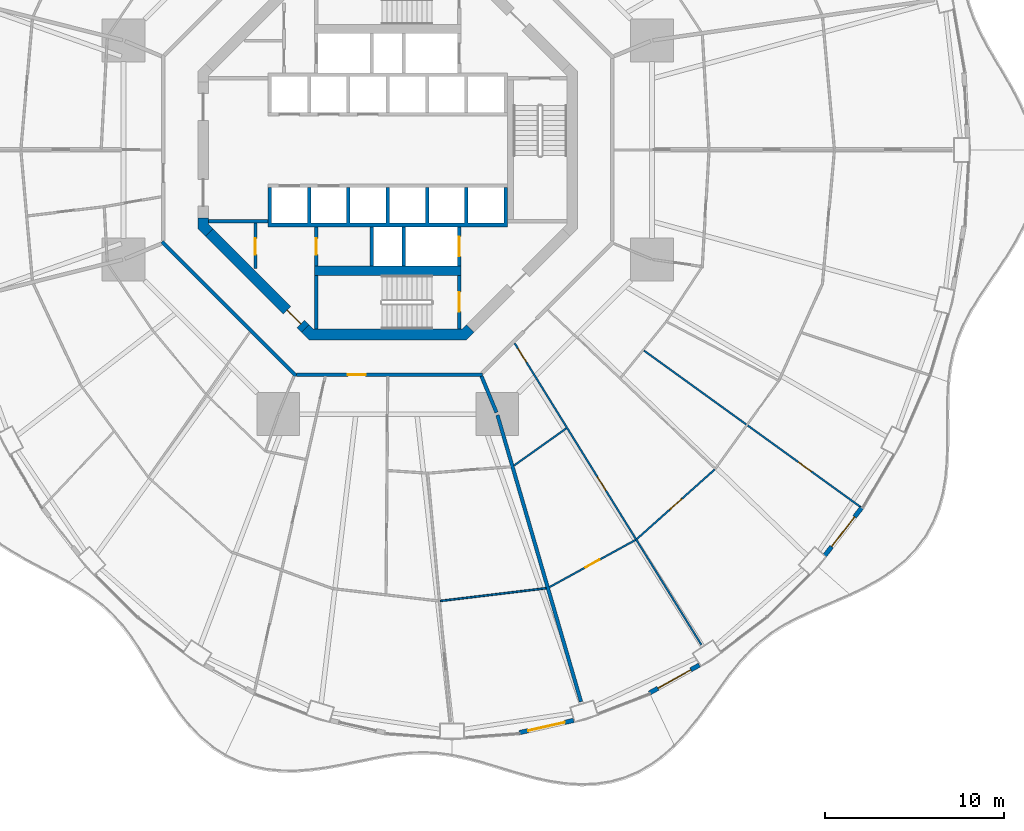
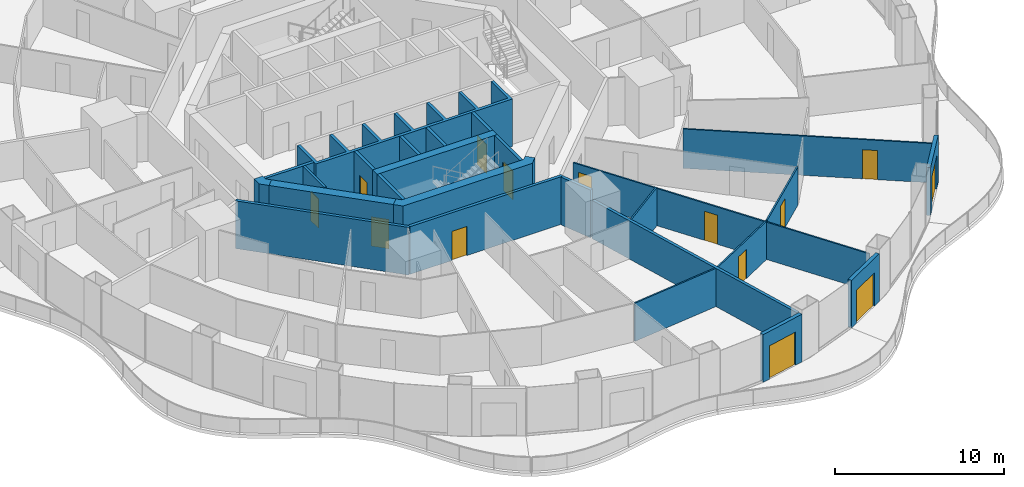
# One storey, part 15 of 23: 26 walls, 14 doors, 14 openings.
"""IFC4 building model written with IfcOpenShell, lengths in metres."""

from ifc_helpers import new_model, si_unit, direction, frame, frame_2d, origin, place, context, subcontext, project, spatial, polyline, rectangle, outline, extrude, material, layer, layer_set, type_object, element, fill, save


model = new_model("IFC4")

# Units and contexts
model_context = context("Model", 3, precision=1e-05, world=origin(), true_north=direction((0.0, 1.0)))
body_context = subcontext(model_context, "Body", "Model", "MODEL_VIEW")
ifc_project = project(units=[si_unit("LENGTHUNIT", "METRE"), si_unit("AREAUNIT", "SQUARE_METRE"), si_unit("VOLUMEUNIT", "CUBIC_METRE"), si_unit("PLANEANGLEUNIT", "RADIAN"), si_unit("MASSUNIT", "GRAM", prefix="KILO")], contexts=[model_context])

# Site, building, storey
site_placement = place(None, origin())
site = spatial("IfcSite", under=ifc_project, at=site_placement, CompositionType="ELEMENT")
building_placement = place(site_placement, origin())
building = spatial("IfcBuilding", under=site, at=building_placement, Name="Nagisa Residences", CompositionType="ELEMENT")
storey_placement = place(building_placement, frame((0.0, 0.0, 56.60009765625)))
storey = spatial("IfcBuildingStorey", under=building, at=storey_placement, Name="L13", CompositionType="ELEMENT", Elevation=56.60009765625)

# Walls
ifc_material_1 = material(Name="Gypsum board on steel studs", Category="steel")
ifc_layer_1 = layer(ifc_material_1, 0.199951171875)
ifc_layer_set_1 = layer_set([ifc_layer_1], Name="Apartment compartment wall EI60 200")
wall_type_1 = type_object("IfcWallType", Name="Apartment compartment wall EI60 200", PredefinedType="PARTITIONING", material=ifc_layer_set_1)
wall_1_placement = place(storey_placement, frame((5.24267578125, -12.6572265625, 0.0), z_axis=(0.0, 0.0, 1.0), x_axis=(0.382707856524, -0.923869415315, 0.0)))
element("IfcWall", 1, at=wall_1_placement, inside=storey, type_object=wall_type_1, Name="wall:L13:u08", PredefinedType="PARTITIONING", context=body_context, shape_type="SweptSolid", body=[
    extrude(rectangle(XDim=2.2001953125, YDim=0.199951171875, at=frame_2d((1.10009765625, 0.0))), origin(), (0.0, 0.0, 1.0), 3.43994140625),
])
wall_2_placement = place(storey_placement, frame((6.136962890625, -14.830078125, 0.0), z_axis=(0.0, 0.0, 1.0), x_axis=(0.27985745069, -0.960041565399, 0.0)))
element("IfcWall", 2, at=wall_2_placement, inside=storey, type_object=wall_type_1, Name="wall:L13:u09", PredefinedType="PARTITIONING", context=body_context, shape_type="SweptSolid", body=[
    extrude(rectangle(XDim=16.705078125, YDim=0.199951171875, at=frame_2d((8.3525390625, 0.0))), origin(), (0.0, 0.0, 1.0), 2.755859375),
])
ifc_material_2 = material(Name="Gypsum board on steel studs", Category="steel")
ifc_layer_2 = layer(ifc_material_2, 0.199951171875)
ifc_layer_set_2 = layer_set([ifc_layer_2], Name="Apartment entry wall EI60 200")
wall_type_2 = type_object("IfcWallType", Name="Apartment entry wall EI60 200", PredefinedType="PARTITIONING", material=ifc_layer_set_2)
wall_3_placement = place(storey_placement, frame((-12.635498046875, -5.1337890625, 0.0), z_axis=(0.0, 0.0, 1.0), x_axis=(0.707106781187, -0.707106781187, 0.0)))
element("IfcWall", 3, at=wall_3_placement, inside=storey, type_object=wall_type_2, Name="wall:L13:u15", PredefinedType="PARTITIONING", context=body_context, shape_type="SweptSolid", body=[
    extrude(rectangle(XDim=10.609130859375, YDim=0.199951171875, at=frame_2d((5.3046875, 0.0))), origin(), (0.0, 0.0, 1.0), 3.43994140625),
])

# Wall, opening, door
wall_4_placement = place(storey_placement, frame((-5.1044921875, -12.564697265625, 0.0), z_axis=(0.0, 0.0, 1.0), x_axis=(1.0, 0.0, 0.0)))
wall_4 = element("IfcWall", 4, at=wall_4_placement, inside=storey, type_object=wall_type_2, Name="wall:L13:u16", PredefinedType="PARTITIONING", context=body_context, shape_type="SweptSolid", body=[
    extrude(rectangle(XDim=10.408935546875, YDim=0.199951171875, at=frame_2d((5.20458984375, 0.0))), origin(), (0.0, 0.0, 1.0), 3.43994140625),
])
opening_1_placement = place(wall_4_placement, frame((2.86962890625, 0.0, 0.0)))
opening_1 = element("IfcOpeningElement", 5, at=opening_1_placement, cuts=wall_4, Name="Opening L13-U15", PredefinedType="OPENING", context=body_context, shape_type="SweptSolid", body=[
    extrude(rectangle(XDim=1.0, YDim=2.10009765625, at=frame_2d((0.5, 1.050048828125))), frame((0.0, 0.10986328125, 0.0), z_axis=(0.0, -1.0, 0.0), x_axis=(1.0, 0.0, 0.0)), (0.0, 0.0, 1.0), 0.219970703125),
])
ifc_material_3 = material(Name="Timber fire door set", Category="wood")
door_type_1 = type_object("IfcDoorType", Name="Apartment entry door FD30S 1000x2100", OperationType="NOTDEFINED", PredefinedType="DOOR", material=ifc_material_3)
door_1_placement = place(opening_1_placement, frame((1.0, 0.0, 0.0), x_axis=(-1.0, 0.0, 0.0)))
door_1 = element("IfcDoor", 6, at=door_1_placement, inside=storey, type_object=door_type_1, Name="Entry door, Apartment 13C", OperationType="SINGLE_SWING_RIGHT", OverallHeight=2.10009765625, OverallWidth=1.0, PredefinedType="DOOR", context=body_context, shape_type="SweptSolid", body=[
    extrude(rectangle(XDim=1.0, YDim=2.10009765625, at=frame_2d((0.5, 1.050048828125))), frame((0.0, 0.02490234375, 0.0), z_axis=(0.0, -1.0, 0.0), x_axis=(1.0, 0.0, 0.0)), (0.0, 0.0, 1.0), 0.050048828125),
])
fill(opening_1, door_1)

# Walls
ifc_material_4 = material(Name="Gypsum board on steel studs", Category="steel")
ifc_layer_3 = layer(ifc_material_4, 0.10009765625)
ifc_layer_set_3 = layer_set([ifc_layer_3], Name="Apartment partition 100")
wall_type_3 = type_object("IfcWallType", Name="Apartment partition 100", PredefinedType="PARTITIONING", material=ifc_layer_set_3)
wall_5_placement = place(storey_placement, frame((2.94091796875, -25.228515625, 0.0), z_axis=(0.0, 0.0, 1.0), x_axis=(0.992834127896, 0.119500604542, 0.0)))
element("IfcWall", 7, at=wall_5_placement, inside=storey, type_object=wall_type_3, Name="wall:L13:u78", PredefinedType="PARTITIONING", context=body_context, shape_type="SweptSolid", body=[
    extrude(rectangle(XDim=5.95947265625, YDim=0.10009765625, at=frame_2d((2.979736328125, 0.0))), origin(), (0.0, 0.0, 1.0), 2.755859375),
])
wall_6_placement = place(storey_placement, frame((7.0595703125, -17.657470703125, 0.0), z_axis=(0.0, 0.0, 1.0), x_axis=(0.81492039338, 0.57957290521, 0.0)))
element("IfcWall", 8, at=wall_6_placement, inside=storey, type_object=wall_type_3, Name="wall:L13:u79", PredefinedType="PARTITIONING", context=body_context, shape_type="SweptSolid", body=[
    extrude(rectangle(XDim=3.594482421875, YDim=0.10009765625, at=frame_2d((1.79736328125, 0.0))), origin(), (0.0, 0.0, 1.0), 2.755859375),
])

# Wall, opening, door
wall_7_placement = place(storey_placement, frame((9.044677734375, -24.456298828125, 0.0), z_axis=(0.0, 0.0, 1.0), x_axis=(0.876809987787, 0.480837025734, 0.0)))
wall_7 = element("IfcWall", 9, at=wall_7_placement, inside=storey, type_object=wall_type_3, Name="wall:L13:u80", PredefinedType="PARTITIONING", context=body_context, shape_type="SweptSolid", body=[
    extrude(rectangle(XDim=5.486083984375, YDim=0.10009765625, at=frame_2d((2.7431640625, 0.0))), origin(), (0.0, 0.0, 1.0), 2.755859375),
])
opening_2_placement = place(wall_7_placement, frame((2.293212890625, 0.0, 0.0)))
opening_2 = element("IfcOpeningElement", 10, at=opening_2_placement, cuts=wall_7, Name="Opening L13-U37", PredefinedType="OPENING", context=body_context, shape_type="SweptSolid", body=[
    extrude(rectangle(XDim=0.89990234375, YDim=2.10009765625, at=frame_2d((0.449951171875, 1.050048828125))), frame((0.0, 0.06005859375, 0.0), z_axis=(0.0, -1.0, 0.0), x_axis=(1.0, 0.0, 0.0)), (0.0, 0.0, 1.0), 0.1201171875),
])
ifc_material_5 = material(Name="Timber door set", Category="wood")
door_type_2 = type_object("IfcDoorType", Name="Apartment door 900x2100", OperationType="NOTDEFINED", PredefinedType="DOOR", material=ifc_material_5)
door_2_placement = place(opening_2_placement, frame((0.89990234375, 0.0, 0.0), x_axis=(-1.0, 0.0, 0.0)))
door_2 = element("IfcDoor", 11, at=door_2_placement, inside=storey, type_object=door_type_2, Name="Door to master bedroom, Apartment 13D", OperationType="SINGLE_SWING_RIGHT", OverallHeight=2.10009765625, OverallWidth=0.89990234375, PredefinedType="DOOR", context=body_context, shape_type="SweptSolid", body=[
    extrude(rectangle(XDim=0.89990234375, YDim=2.10009765625, at=frame_2d((0.449951171875, 1.050048828125))), frame((0.0, 0.02490234375, 0.0), z_axis=(0.0, -1.0, 0.0), x_axis=(1.0, 0.0, 0.0)), (0.0, 0.0, 1.0), 0.050048828125),
])
fill(opening_2, door_2)

# Wall, openings, doors
wall_8_placement = place(storey_placement, frame((7.09716796875, -10.809814453125, 0.0), z_axis=(0.0, 0.0, 1.0), x_axis=(0.526453266471, -0.850204068576, 0.0)))
wall_8 = element("IfcWall", 12, at=wall_8_placement, inside=storey, type_object=wall_type_3, Name="wall:L13:u81", PredefinedType="PARTITIONING", context=body_context, shape_type="SweptSolid", body=[
    extrude(rectangle(XDim=19.85009765625, YDim=0.10009765625, at=frame_2d((9.925048828125, 0.0))), origin(), (0.0, 0.0, 1.0), 2.68701171875),
])
opening_3_placement = place(wall_8_placement, frame((0.35009765625, 0.0, 0.0)))
opening_3 = element("IfcOpeningElement", 13, at=opening_3_placement, cuts=wall_8, Name="Opening L13-U29", PredefinedType="OPENING", context=body_context, shape_type="SweptSolid", body=[
    extrude(rectangle(XDim=0.89990234375, YDim=2.10009765625, at=frame_2d((0.449951171875, 1.050048828125))), frame((0.0, 0.06005859375, 0.0), z_axis=(0.0, -1.0, 0.0), x_axis=(1.0, 0.0, 0.0)), (0.0, 0.0, 1.0), 0.1201171875),
])
opening_4_placement = place(wall_8_placement, frame((8.794921875, 0.0, 0.0)))
opening_4 = element("IfcOpeningElement", 14, at=opening_4_placement, cuts=wall_8, Name="Opening L13-U33", PredefinedType="OPENING", context=body_context, shape_type="SweptSolid", body=[
    extrude(rectangle(XDim=0.89990234375, YDim=2.10009765625, at=frame_2d((0.449951171875, 1.050048828125))), frame((0.0, 0.06005859375, 0.0), z_axis=(0.0, -1.0, 0.0), x_axis=(1.0, 0.0, 0.0)), (0.0, 0.0, 1.0), 0.1201171875),
])
door_3_placement = place(opening_3_placement, frame((0.89990234375, 0.0, 0.0), x_axis=(-1.0, 0.0, 0.0)))
door_3 = element("IfcDoor", 15, at=door_3_placement, inside=storey, type_object=door_type_2, Name="Door to laundry, Apartment 13D", OperationType="SINGLE_SWING_RIGHT", OverallHeight=2.10009765625, OverallWidth=0.89990234375, PredefinedType="DOOR", context=body_context, shape_type="SweptSolid", body=[
    extrude(rectangle(XDim=0.89990234375, YDim=2.10009765625, at=frame_2d((0.449951171875, 1.050048828125))), frame((0.0, 0.02490234375, 0.0), z_axis=(0.0, -1.0, 0.0), x_axis=(1.0, 0.0, 0.0)), (0.0, 0.0, 1.0), 0.050048828125),
])
fill(opening_3, door_3)
door_4_placement = place(opening_4_placement, frame((0.89990234375, 0.0, 0.0), x_axis=(-1.0, 0.0, 0.0)))
door_4 = element("IfcDoor", 16, at=door_4_placement, inside=storey, type_object=door_type_2, Name="Door to kitchen, Apartment 13D", OperationType="SINGLE_SWING_RIGHT", OverallHeight=2.10009765625, OverallWidth=0.89990234375, PredefinedType="DOOR", context=body_context, shape_type="SweptSolid", body=[
    extrude(rectangle(XDim=0.89990234375, YDim=2.10009765625, at=frame_2d((0.449951171875, 1.050048828125))), frame((0.0, 0.02490234375, 0.0), z_axis=(0.0, -1.0, 0.0), x_axis=(1.0, 0.0, 0.0)), (0.0, 0.0, 1.0), 0.050048828125),
])
fill(opening_4, door_4)

# Wall, opening, door
wall_9_placement = place(storey_placement, frame((13.936279296875, -21.760986328125, 0.0), z_axis=(0.0, 0.0, 1.0), x_axis=(0.745806142791, 0.666163041136, 0.0)))
wall_9 = element("IfcWall", 17, at=wall_9_placement, inside=storey, type_object=wall_type_3, Name="wall:L13:u82", PredefinedType="PARTITIONING", context=body_context, shape_type="SweptSolid", body=[
    extrude(rectangle(XDim=5.83056640625, YDim=0.10009765625, at=frame_2d((2.915283203125, 0.0))), origin(), (0.0, 0.0, 1.0), 2.755859375),
])
opening_5_placement = place(wall_9_placement, frame((2.46533203125, 0.0, 0.0)))
opening_5 = element("IfcOpeningElement", 18, at=opening_5_placement, cuts=wall_9, Name="Opening L13-U38", PredefinedType="OPENING", context=body_context, shape_type="SweptSolid", body=[
    extrude(rectangle(XDim=0.89990234375, YDim=2.10009765625, at=frame_2d((0.449951171875, 1.050048828125))), frame((0.0, 0.06005859375, 0.0), z_axis=(0.0, -1.0, 0.0), x_axis=(1.0, 0.0, 0.0)), (0.0, 0.0, 1.0), 0.1201171875),
])
door_5_placement = place(opening_5_placement, frame((0.89990234375, 0.0, 0.0), x_axis=(-1.0, 0.0, 0.0)))
door_5 = element("IfcDoor", 19, at=door_5_placement, inside=storey, type_object=door_type_2, Name="Door to living room, Apartment 13D", OperationType="SINGLE_SWING_LEFT", OverallHeight=2.10009765625, OverallWidth=0.89990234375, PredefinedType="DOOR", context=body_context, shape_type="SweptSolid", body=[
    extrude(rectangle(XDim=0.89990234375, YDim=2.10009765625, at=frame_2d((0.449951171875, 1.050048828125))), frame((0.0, 0.02490234375, 0.0), z_axis=(0.0, -1.0, 0.0), x_axis=(1.0, 0.0, 0.0)), (0.0, 0.0, 1.0), 0.050048828125),
])
fill(opening_5, door_5)

wall_10_placement = place(storey_placement, frame((14.328857421875, -11.22119140625, 0.0), z_axis=(0.0, 0.0, 1.0), x_axis=(0.810671130917, -0.58550176558, 0.0)))
wall_10 = element("IfcWall", 20, at=wall_10_placement, inside=storey, type_object=wall_type_3, Name="wall:L13:u86", PredefinedType="PARTITIONING", context=body_context, shape_type="SweptSolid", body=[
    extrude(rectangle(XDim=15.105712890625, YDim=0.10009765625, at=frame_2d((7.552734375, 0.0))), origin(), (0.0, 0.0, 1.0), 2.8369140625),
])
opening_6_placement = place(wall_10_placement, frame((10.65869140625, 0.0, 0.0)))
opening_6 = element("IfcOpeningElement", 21, at=opening_6_placement, cuts=wall_10, Name="Opening L13-U39", PredefinedType="OPENING", context=body_context, shape_type="SweptSolid", body=[
    extrude(rectangle(XDim=0.89990234375, YDim=2.10009765625, at=frame_2d((0.449951171875, 1.050048828125))), frame((0.0, 0.06005859375, 0.0), z_axis=(0.0, -1.0, 0.0), x_axis=(1.0, 0.0, 0.0)), (0.0, 0.0, 1.0), 0.1201171875),
])
door_6_placement = place(opening_6_placement, origin())
door_6 = element("IfcDoor", 22, at=door_6_placement, inside=storey, type_object=door_type_2, Name="Door to master bedroom, Apartment 13D", OperationType="SINGLE_SWING_LEFT", OverallHeight=2.10009765625, OverallWidth=0.89990234375, PredefinedType="DOOR", context=body_context, shape_type="SweptSolid", body=[
    extrude(rectangle(XDim=0.89990234375, YDim=2.10009765625, at=frame_2d((0.449951171875, 1.050048828125))), frame((0.0, 0.02490234375, 0.0), z_axis=(0.0, -1.0, 0.0), x_axis=(1.0, 0.0, 0.0)), (0.0, 0.0, 1.0), 0.050048828125),
])
fill(opening_6, door_6)

ifc_material_6 = material(Name="Precast concrete C40/50", Category="concrete")
ifc_layer_4 = layer(ifc_material_6, 0.25)
ifc_layer_set_4 = layer_set([ifc_layer_4], Name="BALCONY DOOR WALL 250")
wall_type_4 = type_object("IfcWallType", Name="BALCONY DOOR WALL 250", PredefinedType="SOLIDWALL", material=ifc_layer_set_4)
wall_11_placement = place(storey_placement, frame((10.3955078125, -31.908203125, 0.0), z_axis=(0.0, 0.0, 1.0), x_axis=(-0.97533495413, -0.220729987208, 0.0)))
wall_11 = element("IfcWall", 23, at=wall_11_placement, inside=storey, type_object=wall_type_4, Name="wall:L13:bay37", PredefinedType="SOLIDWALL", context=body_context, shape_type="SweptSolid", body=[
    extrude(rectangle(XDim=3.11474609375, YDim=0.25, at=frame_2d((1.557373046875, 0.0))), origin(), (0.0, 0.0, 1.0), 3.43994140625),
])
opening_7_placement = place(wall_11_placement, frame((0.50732421875, 0.0, 0.0)))
opening_7 = element("IfcOpeningElement", 24, at=opening_7_placement, cuts=wall_11, Name="Opening BD-L13-13", PredefinedType="OPENING", context=body_context, shape_type="SweptSolid", body=[
    extrude(rectangle(XDim=2.10009765625, YDim=2.39990234375, at=frame_2d((1.050048828125, 1.199951171875))), frame((0.0, 0.135009765625, 0.0), z_axis=(0.0, -1.0, 0.0), x_axis=(1.0, 0.0, 0.0)), (0.0, 0.0, 1.0), 0.27001953125),
])
ifc_material_7 = material(Name="Aluminium and clear glass", Category="aluminium")
door_type_3 = type_object("IfcDoorType", Name="BALCONY SLIDING DOOR 2100x2400", OperationType="SLIDING_TO_LEFT", PredefinedType="DOOR", material=ifc_material_7)
door_7_placement = place(opening_7_placement, origin())
door_7 = element("IfcDoor", 25, at=door_7_placement, inside=storey, type_object=door_type_3, Name="door:L13:bay37", OperationType="SLIDING_TO_LEFT", OverallHeight=2.39990234375, OverallWidth=2.10009765625, PredefinedType="DOOR", context=body_context, shape_type="SweptSolid", body=[
    extrude(rectangle(XDim=2.10009765625, YDim=2.39990234375, at=frame_2d((1.050048828125, 1.199951171875))), frame((0.0, 0.02490234375, 0.0), z_axis=(0.0, -1.0, 0.0), x_axis=(1.0, 0.0, 0.0)), (0.0, 0.0, 1.0), 0.050048828125),
])
fill(opening_7, door_7)

wall_12_placement = place(storey_placement, frame((17.428466796875, -28.8125, 0.0), z_axis=(0.0, 0.0, 1.0), x_axis=(-0.872102558443, -0.489323132048, 0.0)))
wall_12 = element("IfcWall", 26, at=wall_12_placement, inside=storey, type_object=wall_type_4, Name="wall:L13:bay39", PredefinedType="SOLIDWALL", context=body_context, shape_type="SweptSolid", body=[
    extrude(rectangle(XDim=3.201171875, YDim=0.25, at=frame_2d((1.6005859375, 0.0))), origin(), (0.0, 0.0, 1.0), 3.43994140625),
])
opening_8_placement = place(wall_12_placement, frame((0.550537109375, 0.0, 0.0)))
opening_8 = element("IfcOpeningElement", 27, at=opening_8_placement, cuts=wall_12, Name="Opening BD-L13-14", PredefinedType="OPENING", context=body_context, shape_type="SweptSolid", body=[
    extrude(rectangle(XDim=2.10009765625, YDim=2.39990234375, at=frame_2d((1.050048828125, 1.199951171875))), frame((0.0, 0.135009765625, 0.0), z_axis=(0.0, -1.0, 0.0), x_axis=(1.0, 0.0, 0.0)), (0.0, 0.0, 1.0), 0.27001953125),
])
door_8_placement = place(opening_8_placement, origin())
door_8 = element("IfcDoor", 28, at=door_8_placement, inside=storey, type_object=door_type_3, Name="door:L13:bay39", OperationType="SLIDING_TO_LEFT", OverallHeight=2.39990234375, OverallWidth=2.10009765625, PredefinedType="DOOR", context=body_context, shape_type="SweptSolid", body=[
    extrude(rectangle(XDim=2.10009765625, YDim=2.39990234375, at=frame_2d((1.050048828125, 1.199951171875))), frame((0.0, 0.02490234375, 0.0), z_axis=(0.0, -1.0, 0.0), x_axis=(1.0, 0.0, 0.0)), (0.0, 0.0, 1.0), 0.050048828125),
])
fill(opening_8, door_8)

wall_13_placement = place(storey_placement, frame((26.50830078125, -20.012939453125, 0.0), z_axis=(0.0, 0.0, 1.0), x_axis=(-0.610457147657, -0.792049285635, 0.0)))
wall_13 = element("IfcWall", 29, at=wall_13_placement, inside=storey, type_object=wall_type_4, Name="wall:L13:bay42", PredefinedType="SOLIDWALL", context=body_context, shape_type="SweptSolid", body=[
    extrude(rectangle(XDim=3.3974609375, YDim=0.25, at=frame_2d((1.69873046875, 0.0))), origin(), (0.0, 0.0, 1.0), 3.43994140625),
])
opening_9_placement = place(wall_13_placement, frame((0.648681640625, 0.0, 0.0)))
opening_9 = element("IfcOpeningElement", 30, at=opening_9_placement, cuts=wall_13, Name="Opening BD-L13-15", PredefinedType="OPENING", context=body_context, shape_type="SweptSolid", body=[
    extrude(rectangle(XDim=2.10009765625, YDim=2.39990234375, at=frame_2d((1.050048828125, 1.199951171875))), frame((0.0, 0.135009765625, 0.0), z_axis=(0.0, -1.0, 0.0), x_axis=(1.0, 0.0, 0.0)), (0.0, 0.0, 1.0), 0.27001953125),
])
door_9_placement = place(opening_9_placement, origin())
door_9 = element("IfcDoor", 31, at=door_9_placement, inside=storey, type_object=door_type_3, Name="door:L13:bay42", OperationType="SLIDING_TO_LEFT", OverallHeight=2.39990234375, OverallWidth=2.10009765625, PredefinedType="DOOR", context=body_context, shape_type="SweptSolid", body=[
    extrude(rectangle(XDim=2.10009765625, YDim=2.39990234375, at=frame_2d((1.050048828125, 1.199951171875))), frame((0.0, 0.02490234375, 0.0), z_axis=(0.0, -1.0, 0.0), x_axis=(1.0, 0.0, 0.0)), (0.0, 0.0, 1.0), 0.050048828125),
])
fill(opening_9, door_9)

ifc_material_8 = material(Name="Gypsum board on steel studs", Category="steel")
ifc_layer_5 = layer(ifc_material_8, 0.14990234375)
ifc_layer_set_5 = layer_set([ifc_layer_5], Name="Core partition 150")
wall_type_5 = type_object("IfcWallType", Name="Core partition 150", PredefinedType="PARTITIONING", material=ifc_layer_set_5)
wall_14_placement = place(storey_placement, frame((-7.39990234375, -6.626953125, 0.0), z_axis=(0.0, 0.0, 1.0), x_axis=(0.0, 1.0, 0.0)))
wall_14 = element("IfcWall", 32, at=wall_14_placement, inside=storey, type_object=wall_type_5, Name="wall:L13:SWp", PredefinedType="PARTITIONING", context=body_context, shape_type="SweptSolid", body=[
    extrude(rectangle(XDim=2.52685546875, YDim=0.14990234375, at=frame_2d((1.263427734375, 0.0))), origin(), (0.0, 0.0, 1.0), 3.43994140625),
])
opening_10_placement = place(wall_14_placement, frame((0.77587890625, 0.0, 0.0)))
opening_10 = element("IfcOpeningElement", 33, at=opening_10_placement, cuts=wall_14, Name="Opening L13-C14", PredefinedType="OPENING", context=body_context, shape_type="SweptSolid", body=[
    extrude(rectangle(XDim=0.89990234375, YDim=2.10009765625, at=frame_2d((0.449951171875, 1.050048828125))), frame((0.0, 0.0849609375, 0.0), z_axis=(0.0, -1.0, 0.0), x_axis=(1.0, 0.0, 0.0)), (0.0, 0.0, 1.0), 0.169921875),
])
ifc_material_9 = material(Name="Steel fire door", Category="steel")
door_type_4 = type_object("IfcDoorType", Name="Fire door EI30 900x2100 single swing", OperationType="NOTDEFINED", PredefinedType="DOOR", material=ifc_material_9)
door_10_placement = place(opening_10_placement, origin())
door_10 = element("IfcDoor", 34, at=door_10_placement, inside=storey, type_object=door_type_4, Name="Telecom room door L13", OperationType="SINGLE_SWING_RIGHT", OverallHeight=2.10009765625, OverallWidth=0.89990234375, PredefinedType="DOOR", context=body_context, shape_type="SweptSolid", body=[
    extrude(rectangle(XDim=0.89990234375, YDim=2.10009765625, at=frame_2d((0.449951171875, 1.050048828125))), frame((0.0, 0.02490234375, 0.0), z_axis=(0.0, -1.0, 0.0), x_axis=(1.0, 0.0, 0.0)), (0.0, 0.0, 1.0), 0.050048828125),
])
fill(opening_10, door_10)

# Wall
ifc_material_10 = material(Name="Gypsum board on steel studs", Category="steel")
ifc_layer_6 = layer(ifc_material_10, 0.199951171875)
ifc_layer_set_6 = layer_set([ifc_layer_6], Name="Core partition 200")
wall_type_6 = type_object("IfcWallType", Name="Core partition 200", PredefinedType="PARTITIONING", material=ifc_layer_set_6)
wall_15_placement = place(storey_placement, frame((-10.024658203125, -4.0, 0.0), z_axis=(0.0, 0.0, 1.0), x_axis=(1.0, 0.0, 0.0)))
element("IfcWall", 35, at=wall_15_placement, inside=storey, type_object=wall_type_6, Name="wall:L13:PSW", PredefinedType="PARTITIONING", context=body_context, shape_type="SweptSolid", body=[
    extrude(rectangle(XDim=3.32470703125, YDim=0.199951171875, at=frame_2d((1.662353515625, 0.0))), origin(), (0.0, 0.0, 1.0), 3.43994140625),
])

# Wall, opening, door
ifc_material_11 = material(Name="Concrete C60", Category="concrete")
ifc_layer_7 = layer(ifc_material_11, 0.60009765625)
ifc_layer_set_7 = layer_set([ifc_layer_7], Name="Core shear wall 600")
wall_type_7 = type_object("IfcWallType", Name="Core shear wall 600", PredefinedType="SHEAR", material=ifc_layer_set_7)
wall_16_placement = place(storey_placement, frame((-9.98828125, -4.613037109375, 0.0), z_axis=(0.0, 0.0, 1.0), x_axis=(0.707106781187, -0.707106781187, 0.0)))
wall_16 = element("IfcWall", 36, at=wall_16_placement, inside=storey, type_object=wall_type_7, Name="wall:L13:core:flat5", PredefinedType="SHEAR", context=body_context, shape_type="SweptSolid", body=[
    extrude(rectangle(XDim=7.601806640625, YDim=0.60009765625, at=frame_2d((3.80078125, 0.0))), origin(), (0.0, 0.0, 1.0), 3.43994140625),
])
opening_11_placement = place(wall_16_placement, frame((6.15087890625, 0.0, 0.0)))
opening_11 = element("IfcOpeningElement", 37, at=opening_11_placement, cuts=wall_16, Name="Opening L13-C21", PredefinedType="OPENING", context=body_context, shape_type="SweptSolid", body=[
    extrude(rectangle(XDim=1.10009765625, YDim=2.10009765625, at=frame_2d((0.550048828125, 1.050048828125))), frame((0.0, 0.31005859375, 0.0), z_axis=(0.0, -1.0, 0.0), x_axis=(1.0, 0.0, 0.0)), (0.0, 0.0, 1.0), 0.6201171875),
])
ifc_material_12 = material(Name="Steel fire door", Category="steel")
door_type_5 = type_object("IfcDoorType", Name="Fire door EI60 1100x2100 single swing", OperationType="NOTDEFINED", PredefinedType="DOOR", material=ifc_material_12)
door_11_placement = place(opening_11_placement, origin())
door_11 = element("IfcDoor", 38, at=door_11_placement, inside=storey, type_object=door_type_5, Name="Housekeeping lobby door L13", OperationType="SINGLE_SWING_LEFT", OverallHeight=2.10009765625, OverallWidth=1.10009765625, PredefinedType="DOOR", context=body_context, shape_type="SweptSolid", body=[
    extrude(rectangle(XDim=1.10009765625, YDim=2.10009765625, at=frame_2d((0.550048828125, 1.050048828125))), frame((0.0, 0.02490234375, 0.0), z_axis=(0.0, -1.0, 0.0), x_axis=(1.0, 0.0, 0.0)), (0.0, 0.0, 1.0), 0.050048828125),
])
fill(opening_11, door_11)

# Walls
wall_17_placement = place(storey_placement, origin())
element("IfcWall", 39, at=wall_17_placement, inside=storey, type_object=wall_type_7, Name="wall:L13:core:pier4", PredefinedType="SHEAR", context=body_context, shape_type="SweptSolid", body=[
    extrude(outline(polyline([(-10.62451171875, -3.80078125), (-10.024658203125, -3.80078125), (-10.024658203125, -4.15234375), (-9.776123046875, -4.40087890625), (-10.200439453125, -4.8251953125), (-10.62451171875, -4.40087890625), (-10.62451171875, -3.80078125)])), origin(), (0.0, 0.0, 1.0), 3.43994140625),
])
wall_18_placement = place(storey_placement, origin())
element("IfcWall", 40, at=wall_18_placement, inside=storey, type_object=wall_type_7, Name="wall:L13:core:flat6", PredefinedType="SHEAR", context=body_context, shape_type="SweptSolid", body=[
    extrude(outline(polyline([(-4.15234375, -10.024658203125), (4.15234375, -10.024658203125), (4.40087890625, -9.776123046875), (4.8251953125, -10.200439453125), (4.40087890625, -10.62451171875), (-4.40087890625, -10.62451171875), (-4.8251953125, -10.200439453125), (-4.40087890625, -9.776123046875), (-4.15234375, -10.024658203125)])), origin(), (0.0, 0.0, 1.0), 3.43994140625),
])

# Wall, opening, door
ifc_material_13 = material(Name="Concrete C60", Category="concrete")
ifc_layer_8 = layer(ifc_material_13, 0.199951171875)
ifc_layer_set_8 = layer_set([ifc_layer_8], Name="Lift shaft wall 200")
wall_type_8 = type_object("IfcWallType", Name="Lift shaft wall 200", PredefinedType="SOLIDWALL", material=ifc_layer_set_8)
wall_19_placement = place(storey_placement, frame((4.0, -6.5, 0.0), z_axis=(0.0, 0.0, 1.0), x_axis=(0.0, 1.0, 0.0)))
wall_19 = element("IfcWall", 41, at=wall_19_placement, inside=storey, type_object=wall_type_8, Name="wall:L13:Sb3", PredefinedType="SOLIDWALL", context=body_context, shape_type="SweptSolid", body=[
    extrude(rectangle(XDim=2.199951171875, YDim=0.199951171875, at=frame_2d((1.10009765625, 0.0))), origin(), (0.0, 0.0, 1.0), 3.43994140625),
])
opening_12_placement = place(wall_19_placement, frame((0.550048828125, 0.0, 0.0)))
opening_12 = element("IfcOpeningElement", 42, at=opening_12_placement, cuts=wall_19, Name="Opening L13-C07", PredefinedType="OPENING", context=body_context, shape_type="SweptSolid", body=[
    extrude(rectangle(XDim=1.10009765625, YDim=2.10009765625, at=frame_2d((0.550048828125, 1.050048828125))), frame((0.0, 0.10986328125, 0.0), z_axis=(0.0, -1.0, 0.0), x_axis=(1.0, 0.0, 0.0)), (0.0, 0.0, 1.0), 0.219970703125),
])
ifc_material_14 = material(Name="Stainless steel", Category="steel")
door_type_6 = type_object("IfcDoorType", Name="Lift landing door 1100x2100", OperationType="DOUBLE_DOOR_SLIDING", PredefinedType="DOOR", material=ifc_material_14)
door_12_placement = place(opening_12_placement, origin())
door_12 = element("IfcDoor", 43, at=door_12_placement, inside=storey, type_object=door_type_6, Name="Landing door FL2 L13", OperationType="DOUBLE_DOOR_SLIDING", OverallHeight=2.10009765625, OverallWidth=1.10009765625, PredefinedType="DOOR", context=body_context, shape_type="SweptSolid", body=[
    extrude(rectangle(XDim=1.10009765625, YDim=2.10009765625, at=frame_2d((0.550048828125, 1.050048828125))), frame((0.0, 0.02490234375, 0.0), z_axis=(0.0, -1.0, 0.0), x_axis=(1.0, 0.0, 0.0)), (0.0, 0.0, 1.0), 0.050048828125),
])
fill(opening_12, door_12)

wall_20_placement = place(storey_placement, frame((-4.0, -6.5, 0.0), z_axis=(0.0, 0.0, 1.0), x_axis=(0.0, 1.0, 0.0)))
wall_20 = element("IfcWall", 44, at=wall_20_placement, inside=storey, type_object=wall_type_8, Name="wall:L13:Sb4", PredefinedType="SOLIDWALL", context=body_context, shape_type="SweptSolid", body=[
    extrude(rectangle(XDim=2.199951171875, YDim=0.199951171875, at=frame_2d((1.10009765625, 0.0))), origin(), (0.0, 0.0, 1.0), 3.43994140625),
])
opening_13_placement = place(wall_20_placement, frame((0.64990234375, 0.0, 0.0)))
opening_13 = element("IfcOpeningElement", 45, at=opening_13_placement, cuts=wall_20, Name="Opening L13-C15", PredefinedType="OPENING", context=body_context, shape_type="SweptSolid", body=[
    extrude(rectangle(XDim=0.89990234375, YDim=2.10009765625, at=frame_2d((0.449951171875, 1.050048828125))), frame((0.0, 0.10986328125, 0.0), z_axis=(0.0, -1.0, 0.0), x_axis=(1.0, 0.0, 0.0)), (0.0, 0.0, 1.0), 0.219970703125),
])
door_13_placement = place(opening_13_placement, frame((0.89990234375, 0.0, 0.0), x_axis=(-1.0, 0.0, 0.0)))
door_13 = element("IfcDoor", 46, at=door_13_placement, inside=storey, type_object=door_type_4, Name="Refuse room door L13", OperationType="SINGLE_SWING_RIGHT", OverallHeight=2.10009765625, OverallWidth=0.89990234375, PredefinedType="DOOR", context=body_context, shape_type="SweptSolid", body=[
    extrude(rectangle(XDim=0.89990234375, YDim=2.10009765625, at=frame_2d((0.449951171875, 1.050048828125))), frame((0.0, 0.02490234375, 0.0), z_axis=(0.0, -1.0, 0.0), x_axis=(1.0, 0.0, 0.0)), (0.0, 0.0, 1.0), 0.050048828125),
])
fill(opening_13, door_13)

# Walls
for number, where, z_axis, x_axis, name in (
    (47, (-0.89990234375, -6.5, 0.0), (0.0, 0.0, 1.0), (0.0, 1.0, 0.0), "wall:L13:Sb1"),
    (48, (0.89990234375, -6.5, 0.0), (0.0, 0.0, 1.0), (0.0, 1.0, 0.0), "wall:L13:Sb2"),
):
    element("IfcWall", number, at=place(storey_placement, frame(where, z_axis=z_axis, x_axis=x_axis)), inside=storey, type_object=wall_type_8, Name=name, PredefinedType="SOLIDWALL", context=body_context, shape_type="SweptSolid", body=[
        extrude(rectangle(XDim=2.199951171875, YDim=0.199951171875, at=frame_2d((1.10009765625, 0.0))), origin(), (0.0, 0.0, 1.0), 3.43994140625),
    ])
wall_21_placement = place(storey_placement, origin())
element("IfcWall", 49, at=wall_21_placement, inside=storey, type_object=wall_type_8, Name="wall:L13:Sback", PredefinedType="SOLIDWALL", context=body_context, shape_type="SweptSolid", body=[
    extrude(outline(polyline([(-6.699951171875, -2.10009765625), (-6.5, -2.10009765625), (-6.5, -4.10009765625), (-4.5, -4.10009765625), (-4.5, -2.10009765625), (-4.300048828125, -2.10009765625), (-4.300048828125, -4.10009765625), (-2.300048828125, -4.10009765625), (-2.300048828125, -2.10009765625), (-2.10009765625, -2.10009765625), (-2.10009765625, -4.10009765625), (-0.10009765625, -4.10009765625), (-0.10009765625, -2.10009765625), (0.10009765625, -2.10009765625), (0.10009765625, -4.10009765625), (2.10009765625, -4.10009765625), (2.10009765625, -2.10009765625), (2.300048828125, -2.10009765625), (2.300048828125, -4.10009765625), (4.300048828125, -4.10009765625), (4.300048828125, -2.10009765625), (4.5, -2.10009765625), (4.5, -4.10009765625), (6.5, -4.10009765625), (6.5, -2.10009765625), (6.699951171875, -2.10009765625), (6.699951171875, -4.300048828125), (-6.699951171875, -4.300048828125), (-6.699951171875, -2.10009765625)])), origin(), (0.0, 0.0, 1.0), 3.43994140625),
])

# Wall, opening, door
ifc_material_15 = material(Name="Concrete C60", Category="concrete")
ifc_layer_9 = layer(ifc_material_15, 0.199951171875)
ifc_layer_set_9 = layer_set([ifc_layer_9], Name="Stair enclosure wall 200")
wall_type_9 = type_object("IfcWallType", Name="Stair enclosure wall 200", PredefinedType="SOLIDWALL", material=ifc_layer_set_9)
wall_22_placement = place(storey_placement, frame((4.0, -10.024658203125, 0.0), z_axis=(0.0, 0.0, 1.0), x_axis=(0.0, 1.0, 0.0)))
wall_22 = element("IfcWall", 50, at=wall_22_placement, inside=storey, type_object=wall_type_9, Name="wall:L13:SS_e", PredefinedType="SOLIDWALL", context=body_context, shape_type="SweptSolid", body=[
    extrude(rectangle(XDim=3.0, YDim=0.199951171875, at=frame_2d((1.5, 0.0))), origin(), (0.0, 0.0, 1.0), 3.43994140625),
])
opening_14_placement = place(wall_22_placement, frame((0.974609375, 0.0, 0.0)))
opening_14 = element("IfcOpeningElement", 51, at=opening_14_placement, cuts=wall_22, Name="Opening L13-C11", PredefinedType="OPENING", context=body_context, shape_type="SweptSolid", body=[
    extrude(rectangle(XDim=1.10009765625, YDim=2.10009765625, at=frame_2d((0.550048828125, 1.050048828125))), frame((0.0, 0.10986328125, 0.0), z_axis=(0.0, -1.0, 0.0), x_axis=(1.0, 0.0, 0.0)), (0.0, 0.0, 1.0), 0.219970703125),
])
ifc_material_16 = material(Name="Steel fire door", Category="steel")
door_type_7 = type_object("IfcDoorType", Name="Fire door EI90 1100x2100 single swing", OperationType="NOTDEFINED", PredefinedType="DOOR", material=ifc_material_16)
door_14_placement = place(opening_14_placement, origin())
door_14 = element("IfcDoor", 52, at=door_14_placement, inside=storey, type_object=door_type_7, Name="Stair door ST-S L13", OperationType="SINGLE_SWING_RIGHT", OverallHeight=2.10009765625, OverallWidth=1.10009765625, PredefinedType="DOOR", context=body_context, shape_type="SweptSolid", body=[
    extrude(rectangle(XDim=1.10009765625, YDim=2.10009765625, at=frame_2d((0.550048828125, 1.050048828125))), frame((0.0, 0.02490234375, 0.0), z_axis=(0.0, -1.0, 0.0), x_axis=(1.0, 0.0, 0.0)), (0.0, 0.0, 1.0), 0.050048828125),
])
fill(opening_14, door_14)

# Walls
wall_23_placement = place(storey_placement, origin())
element("IfcWall", 53, at=wall_23_placement, inside=storey, type_object=wall_type_9, Name="wall:L13:SS_w", PredefinedType="SOLIDWALL", context=body_context, shape_type="SweptSolid", body=[
    extrude(outline(polyline([(-3.89990234375, -10.024658203125), (-4.10009765625, -10.024658203125), (-4.10009765625, -7.024658203125), (-3.89990234375, -7.024658203125), (-3.89990234375, -10.024658203125)])), origin(), (0.0, 0.0, 1.0), 3.43994140625),
])
wall_24_placement = place(storey_placement, origin())
element("IfcWall", 54, at=wall_24_placement, inside=storey, type_object=wall_type_9, Name="wall:L13:SS_n", PredefinedType="SOLIDWALL", context=body_context, shape_type="SweptSolid", body=[
    extrude(outline(polyline([(4.10009765625, -7.024658203125), (-4.10009765625, -7.024658203125), (-4.10009765625, -6.5), (4.10009765625, -6.5), (4.10009765625, -7.024658203125)])), origin(), (0.0, 0.0, 1.0), 3.43994140625),
])

save(model, "model.ifc")
